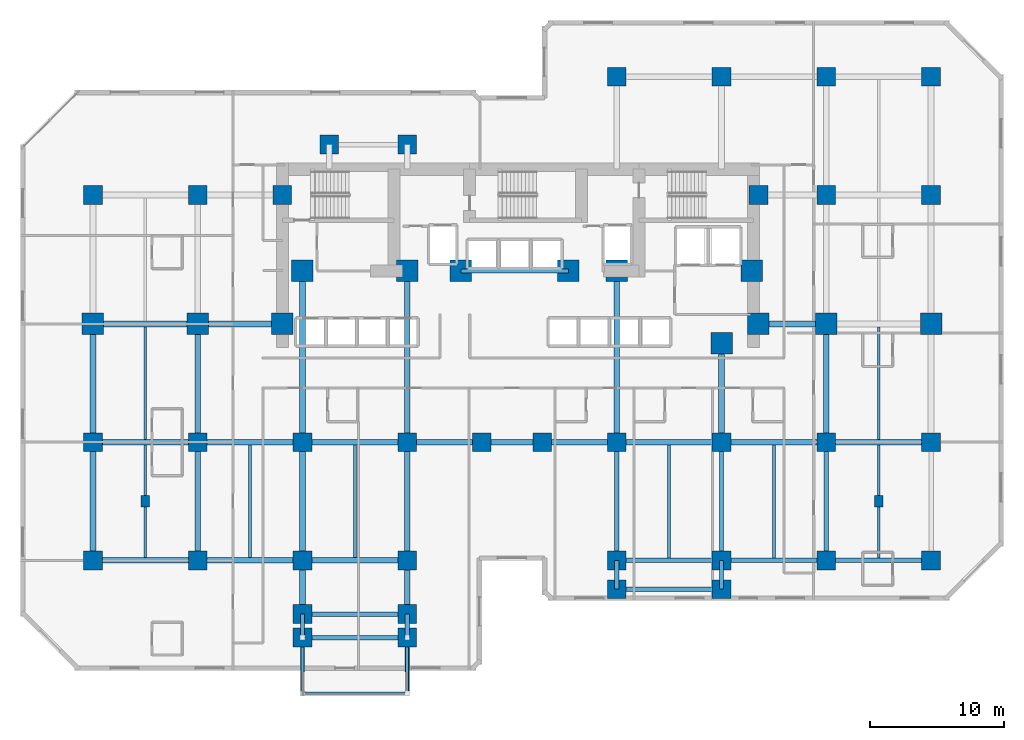
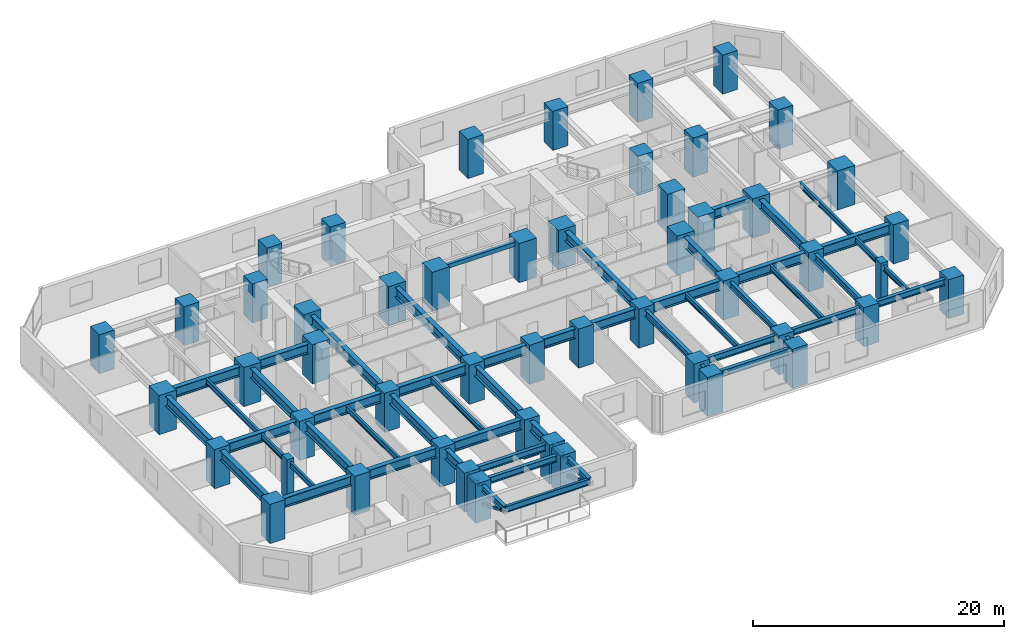
# One storey, part 1 of 12: 53 beams, 51 columns, 2 members.
"""IFC4 building model written with IfcOpenShell, lengths in metres."""

from ifc_helpers import new_model, si_unit, direction, frame, origin, origin_2d, place, context, subcontext, project, spatial, rectangle, hollow_rectangle, i_section, extrude, material, material_profile, profile_set, type_object, element, save


model = new_model("IFC4")

# Units and contexts
model_context = context("Model", 3, precision=1e-05, world=origin(), true_north=direction((0.0, 1.0)))
body_context = subcontext(model_context, "Body", "Model", "MODEL_VIEW")
ifc_project = project(units=[si_unit("LENGTHUNIT", "METRE"), si_unit("AREAUNIT", "SQUARE_METRE"), si_unit("VOLUMEUNIT", "CUBIC_METRE"), si_unit("PLANEANGLEUNIT", "RADIAN"), si_unit("MASSUNIT", "GRAM", prefix="KILO")], contexts=[model_context])

# Site, building, storey
site_placement = place(None, origin())
site = spatial("IfcSite", under=ifc_project, at=site_placement, CompositionType="ELEMENT")
building_placement = place(site_placement, origin())
building = spatial("IfcBuilding", under=site, at=building_placement, Name="Kestravale Grand Hotel", CompositionType="ELEMENT")
storey_placement = place(building_placement, frame((0.0, 0.0, 60.199951171875)))
storey = spatial("IfcBuildingStorey", under=building, at=storey_placement, Name="L14", CompositionType="ELEMENT", Elevation=60.199951171875)

# Columns
ifc_material_1 = material(Name="Concrete f'c 70 MPa", Category="concrete")
ifc_material_profile_1 = material_profile(ifc_material_1, rectangle(XDim=1.39990234375, YDim=1.39990234375, at=origin_2d()))
ifc_profile_set_1 = profile_set([ifc_material_profile_1], Name="Concrete f'c 70 MPa")
column_type_1 = type_object("IfcColumnType", Name="C-Z1-1400", PredefinedType="COLUMN", material=ifc_profile_set_1)
for number, where, z_axis, x_axis, name in (
    (1, (7.800048828125, 11.199951171875, 0.0), (0.0, 0.0, 1.0), (1.0, 0.0, 0.0), "L14 column 2-C"),
    (2, (7.800048828125, 20.0, 0.0), (0.0, 0.0, 1.0), (1.0, 0.0, 0.0), "L14 column 2-D"),
    (3, (7.800048828125, 38.39990234375, 0.0), (0.0, 0.0, 1.0), (1.0, 0.0, 0.0), "L14 column 2-F"),
    (4, (15.60009765625, 11.199951171875, 0.0), (0.0, 0.0, 1.0), (1.0, 0.0, 0.0), "L14 column 3-C"),
    (5, (15.60009765625, 20.0, 0.0), (0.0, 0.0, 1.0), (1.0, 0.0, 0.0), "L14 column 3-D"),
    (6, (15.60009765625, 38.39990234375, 0.0), (0.0, 0.0, 1.0), (1.0, 0.0, 0.0), "L14 column 3-F"),
    (7, (23.39990234375, 11.199951171875, 0.0), (0.0, 0.0, 1.0), (1.0, 0.0, 0.0), "L14 column 4-C"),
    (8, (23.39990234375, 20.0, 0.0), (0.0, 0.0, 1.0), (1.0, 0.0, 0.0), "L14 column 4-D"),
    (9, (31.199951171875, 11.199951171875, 0.0), (0.0, 0.0, 1.0), (1.0, 0.0, 0.0), "L14 column 5-C"),
    (10, (31.199951171875, 20.0, 0.0), (0.0, 0.0, 1.0), (1.0, 0.0, 0.0), "L14 column 5-D"),
    (11, (36.75, 20.0, 0.0), (0.0, 0.0, 1.0), (1.0, 0.0, 0.0), "L14 column 6-D"),
    (12, (41.25, 20.0, 0.0), (0.0, 0.0, 1.0), (1.0, 0.0, 0.0), "L14 column 7-D"),
    (13, (46.800048828125, 11.199951171875, 0.0), (0.0, 0.0, 1.0), (1.0, 0.0, 0.0), "L14 column 8-C"),
    (14, (46.800048828125, 20.0, 0.0), (0.0, 0.0, 1.0), (1.0, 0.0, 0.0), "L14 column 8-D"),
    (15, (46.800048828125, 47.199951171875, 0.0), (0.0, 0.0, 1.0), (1.0, 0.0, 0.0), "L14 column 8-G"),
    (16, (54.60009765625, 11.199951171875, 0.0), (0.0, 0.0, 1.0), (1.0, 0.0, 0.0), "L14 column 9-C"),
    (17, (54.60009765625, 20.0, 0.0), (0.0, 0.0, 1.0), (1.0, 0.0, 0.0), "L14 column 9-D"),
    (18, (54.60009765625, 47.199951171875, 0.0), (0.0, 0.0, 1.0), (1.0, 0.0, 0.0), "L14 column 9-G"),
    (19, (62.39990234375, 11.199951171875, 0.0), (0.0, 0.0, 1.0), (1.0, 0.0, 0.0), "L14 column 10-C"),
    (20, (62.39990234375, 20.0, 0.0), (0.0, 0.0, 1.0), (1.0, 0.0, 0.0), "L14 column 10-D"),
    (21, (62.39990234375, 38.39990234375, 0.0), (0.0, 0.0, 1.0), (1.0, 0.0, 0.0), "L14 column 10-F"),
    (22, (62.39990234375, 47.199951171875, 0.0), (0.0, 0.0, 1.0), (1.0, 0.0, 0.0), "L14 column 10-G"),
    (23, (70.199951171875, 11.199951171875, 0.0), (0.0, 0.0, 1.0), (1.0, 0.0, 0.0), "L14 column 11-C"),
    (24, (70.199951171875, 20.0, 0.0), (0.0, 0.0, 1.0), (1.0, 0.0, 0.0), "L14 column 11-D"),
    (25, (70.199951171875, 38.39990234375, 0.0), (0.0, 0.0, 1.0), (1.0, 0.0, 0.0), "L14 column 11-F"),
    (26, (70.199951171875, 47.199951171875, 0.0), (0.0, 0.0, 1.0), (1.0, 0.0, 0.0), "L14 column 11-G"),
    (27, (21.89990234375, 38.39990234375, 0.0), (0.0, 0.0, 1.0), (1.0, 0.0, 0.0), "L14 column CW-F"),
    (28, (57.35009765625, 38.39990234375, 0.0), (0.0, 0.0, 1.0), (1.0, 0.0, 0.0), "L14 column CE-F"),
    (29, (23.39990234375, 7.199951171875, 0.0), (0.0, 0.0, 1.0), (1.0, 0.0, 0.0), "L14 column 4-BS"),
    (30, (31.199951171875, 7.199951171875, 0.0), (0.0, 0.0, 1.0), (1.0, 0.0, 0.0), "L14 column 5-BS"),
    (31, (25.39990234375, 42.14990234375, 0.0), (0.0, 0.0, 1.0), (1.0, 0.0, 0.0), "L14 column 4-FN"),
    (32, (31.199951171875, 42.14990234375, 0.0), (0.0, 0.0, 1.0), (1.0, 0.0, 0.0), "L14 column 5-FN"),
    (33, (23.39990234375, 5.449951171875, 0.0), (0.0, 0.0, 1.0), (1.0, 0.0, 0.0), "L14 column 4-B1S"),
    (34, (31.199951171875, 5.449951171875, 0.0), (0.0, 0.0, 1.0), (1.0, 0.0, 0.0), "L14 column 5-B1S"),
    (35, (46.800048828125, 9.050048828125, 0.0), (0.0, 0.0, 1.0), (1.0, 0.0, 0.0), "L14 column 8-B1E"),
    (36, (54.60009765625, 9.050048828125, 0.0), (0.0, 0.0, 1.0), (1.0, 0.0, 0.0), "L14 column 9-B1E"),
):
    element("IfcColumn", number, at=place(storey_placement, frame(where, z_axis=z_axis, x_axis=x_axis)), inside=storey, type_object=column_type_1, Name=name, PredefinedType="COLUMN", context=body_context, shape_type="SweptSolid", body=[
        extrude(rectangle(XDim=1.39990234375, YDim=1.39990234375, at=origin_2d()), origin(), (0.0, 0.0, 1.0), 3.800048828125),
    ])
ifc_material_2 = material(Name="Concrete f'c 70 MPa", Category="concrete")
ifc_material_profile_2 = material_profile(ifc_material_2, rectangle(XDim=1.60009765625, YDim=1.60009765625, at=origin_2d()))
ifc_profile_set_2 = profile_set([ifc_material_profile_2], Name="Concrete f'c 70 MPa")
column_type_2 = type_object("IfcColumnType", Name="C-Z1-1600", PredefinedType="COLUMN", material=ifc_profile_set_2)
for number, where, z_axis, x_axis, name in (
    (37, (7.800048828125, 28.800048828125, 0.0), (0.0, 0.0, 1.0), (1.0, 0.0, 0.0), "L14 column 2-E"),
    (38, (15.60009765625, 28.800048828125, 0.0), (0.0, 0.0, 1.0), (1.0, 0.0, 0.0), "L14 column 3-E"),
    (39, (62.39990234375, 28.800048828125, 0.0), (0.0, 0.0, 1.0), (1.0, 0.0, 0.0), "L14 column 10-E"),
    (40, (70.199951171875, 28.800048828125, 0.0), (0.0, 0.0, 1.0), (1.0, 0.0, 0.0), "L14 column 11-E"),
    (41, (21.89990234375, 28.800048828125, 0.0), (0.0, 0.0, 1.0), (1.0, 0.0, 0.0), "L14 column CW-E"),
    (42, (57.35009765625, 28.800048828125, 0.0), (0.0, 0.0, 1.0), (1.0, 0.0, 0.0), "L14 column CE-E"),
    (43, (23.39990234375, 32.75, 0.0), (0.0, 0.0, 1.0), (1.0, 0.0, 0.0), "L14 column 4-CS"),
    (44, (31.199951171875, 32.75, 0.0), (0.0, 0.0, 1.0), (1.0, 0.0, 0.0), "L14 column 5-CS"),
    (45, (35.199951171875, 32.75, 0.0), (0.0, 0.0, 1.0), (1.0, 0.0, 0.0), "L14 column 6C-CS"),
    (46, (43.199951171875, 32.75, 0.0), (0.0, 0.0, 1.0), (1.0, 0.0, 0.0), "L14 column 7C-CS"),
    (47, (46.800048828125, 32.75, 0.0), (0.0, 0.0, 1.0), (1.0, 0.0, 0.0), "L14 column 8-CS"),
    (48, (54.60009765625, 27.35009765625, 0.0), (0.0, 0.0, 1.0), (1.0, 0.0, 0.0), "L14 column 9-CS"),
    (49, (56.85009765625, 32.75, 0.0), (0.0, 0.0, 1.0), (1.0, 0.0, 0.0), "L14 column 9C-CS"),
):
    element("IfcColumn", number, at=place(storey_placement, frame(where, z_axis=z_axis, x_axis=x_axis)), inside=storey, type_object=column_type_2, Name=name, PredefinedType="COLUMN", context=body_context, shape_type="SweptSolid", body=[
        extrude(rectangle(XDim=1.60009765625, YDim=1.60009765625, at=origin_2d()), origin(), (0.0, 0.0, 1.0), 3.800048828125),
    ])
ifc_material_3 = material(Name="Precast concrete f'c 45 MPa", Category="concrete")
ifc_material_profile_3 = material_profile(ifc_material_3, rectangle(XDim=0.64990234375, YDim=0.85009765625, at=origin_2d()))
ifc_profile_set_3 = profile_set([ifc_material_profile_3], Name="Precast concrete f'c 45 MPa")
column_type_3 = type_object("IfcColumnType", Name="C-Z1-PIL850", PredefinedType="PILASTER", material=ifc_profile_set_3)
for number, where, z_axis, x_axis, name in (
    (50, (11.699951171875, 15.60009765625, 0.0), (0.0, 0.0, 1.0), (1.0, 0.0, 0.0), "L14 Art Deco fluted pilaster P1"),
    (51, (66.300048828125, 15.60009765625, 0.0), (0.0, 0.0, 1.0), (1.0, 0.0, 0.0), "L14 Art Deco fluted pilaster P2"),
):
    element("IfcColumn", number, at=place(storey_placement, frame(where, z_axis=z_axis, x_axis=x_axis)), inside=storey, type_object=column_type_3, Name=name, PredefinedType="PILASTER", context=body_context, shape_type="SweptSolid", body=[
        extrude(rectangle(XDim=0.64990234375, YDim=0.85009765625, at=origin_2d()), origin(), (0.0, 0.0, 1.0), 3.800048828125),
    ])

# Beams
ifc_material_4 = material(Name="Steel ASTM A992 Grade 50", Category="steel")
ifc_material_profile_4 = material_profile(ifc_material_4, i_section(OverallWidth=0.2099609375, OverallDepth=0.535888671875, WebThickness=0.010986328125, FlangeThickness=0.017333984375, FilletRadius=0.017578125, at=origin_2d()))
ifc_profile_set_4 = profile_set([ifc_material_profile_4], Name="Steel ASTM A992 Grade 50")
beam_type_1 = type_object("IfcBeamType", Name="B-FLR-JST21", PredefinedType="JOIST", material=ifc_profile_set_4)
for number, where, z_axis, x_axis, name in (
    (52, (11.699951171875, 11.412109375, 3.27197265625), (0.0, 1.0, 0.0), (-1.0, 0.0, 0.0), "L14 floor joist 2-3/C-D #1"),
    (53, (11.699951171875, 20.2119140625, 3.27197265625), (0.0, 1.0, 0.0), (-1.0, 0.0, 0.0), "L14 floor joist 2-3/D-E #1"),
    (54, (19.5, 11.412109375, 3.27197265625), (0.0, 1.0, 0.0), (-1.0, 0.0, 0.0), "L14 floor joist 3-4/C-D #1"),
    (55, (27.300048828125, 11.412109375, 3.27197265625), (0.0, 1.0, 0.0), (-1.0, 0.0, 0.0), "L14 floor joist 4-5/C-D #1"),
):
    element("IfcBeam", number, at=place(storey_placement, frame(where, z_axis=z_axis, x_axis=x_axis)), inside=storey, type_object=beam_type_1, Name=name, PredefinedType="JOIST", context=body_context, shape_type="SweptSolid", body=[
        extrude(i_section(OverallWidth=0.2099609375, OverallDepth=0.535888671875, WebThickness=0.010986328125, FlangeThickness=0.017333984375, FilletRadius=0.017578125, at=origin_2d()), origin(), (0.0, 0.0, 1.0), 8.3759765625),
    ])
for number, where, z_axis, x_axis, name in (
    (56, (50.699951171875, 11.362548828125, 3.27197265625), (0.0, 1.0, 0.0), (-1.0, 0.0, 0.0), "L14 floor joist 8-9/C-D #1"),
    (57, (58.5, 11.362548828125, 3.27197265625), (0.0, 1.0, 0.0), (-1.0, 0.0, 0.0), "L14 floor joist 9-10/C-D #1"),
    (58, (66.300048828125, 11.362548828125, 3.27197265625), (0.0, 1.0, 0.0), (-1.0, 0.0, 0.0), "L14 floor joist 10-11/C-D #1"),
):
    element("IfcBeam", number, at=place(storey_placement, frame(where, z_axis=z_axis, x_axis=x_axis)), inside=storey, type_object=beam_type_1, Name=name, PredefinedType="JOIST", context=body_context, shape_type="SweptSolid", body=[
        extrude(i_section(OverallWidth=0.2099609375, OverallDepth=0.535888671875, WebThickness=0.010986328125, FlangeThickness=0.017333984375, FilletRadius=0.017578125, at=origin_2d()), origin(), (0.0, 0.0, 1.0), 8.425537109375),
    ])
beam_1_placement = place(storey_placement, frame((66.300048828125, 20.2119140625, 3.27197265625), z_axis=(0.0, 1.0, 0.0), x_axis=(-1.0, 0.0, 0.0)))
element("IfcBeam", 59, at=beam_1_placement, inside=storey, type_object=beam_type_1, Name="L14 floor joist 10-11/D-E #1", PredefinedType="JOIST", context=body_context, shape_type="SweptSolid", body=[
    extrude(i_section(OverallWidth=0.2099609375, OverallDepth=0.535888671875, WebThickness=0.010986328125, FlangeThickness=0.017333984375, FilletRadius=0.017578125, at=origin_2d()), origin(), (0.0, 0.0, 1.0), 8.3759765625),
])
ifc_material_5 = material(Name="Concrete f'c 45 MPa", Category="concrete")
ifc_material_profile_5 = material_profile(ifc_material_5, rectangle(XDim=0.300048828125, YDim=0.39990234375, at=origin_2d()))
ifc_profile_set_5 = profile_set([ifc_material_profile_5], Name="Concrete f'c 45 MPa")
beam_type_2 = type_object("IfcBeamType", Name="B-FLR-LNT400", PredefinedType="LINTEL", material=ifc_profile_set_5)
beam_2_placement = place(storey_placement, frame((35.199951171875, 32.75, 3.340087890625), z_axis=(1.0, 0.0, 0.0), x_axis=(0.0, 1.0, 0.0)))
element("IfcBeam", 60, at=beam_2_placement, inside=storey, type_object=beam_type_2, Name="L14 core portal header lintel", PredefinedType="LINTEL", context=body_context, shape_type="SweptSolid", body=[
    extrude(rectangle(XDim=0.300048828125, YDim=0.39990234375, at=origin_2d()), origin(), (0.0, 0.0, 1.0), 8.0),
])
ifc_material_6 = material(Name="Steel ASTM A992 Grade 50", Category="steel")
ifc_material_profile_6 = material_profile(ifc_material_6, i_section(OverallWidth=0.324951171875, OverallDepth=0.612060546875, WebThickness=0.0126953125, FlangeThickness=0.01904296875, FilletRadius=0.018798828125, at=origin_2d()))
ifc_profile_set_6 = profile_set([ifc_material_profile_6], Name="Steel ASTM A992 Grade 50")
beam_type_3 = type_object("IfcBeamType", Name="B-FLR-W24A", PredefinedType="SPANDREL", material=ifc_profile_set_6)
beam_3_placement = place(storey_placement, frame((46.800048828125, 11.199951171875, 3.234130859375), z_axis=(1.0, 0.0, 0.0), x_axis=(0.0, 1.0, 0.0)))
element("IfcBeam", 61, at=beam_3_placement, inside=storey, type_object=beam_type_3, Name="L14 spandrel C:8-9", PredefinedType="SPANDREL", context=body_context, shape_type="SweptSolid", body=[
    extrude(i_section(OverallWidth=0.324951171875, OverallDepth=0.612060546875, WebThickness=0.0126953125, FlangeThickness=0.01904296875, FilletRadius=0.018798828125, at=origin_2d()), origin(), (0.0, 0.0, 1.0), 7.800048828125),
])
beam_4_placement = place(storey_placement, frame((54.60009765625, 11.199951171875, 3.234130859375), z_axis=(1.0, 0.0, 0.0), x_axis=(0.0, 1.0, 0.0)))
element("IfcBeam", 62, at=beam_4_placement, inside=storey, type_object=beam_type_3, Name="L14 spandrel C:9-10", PredefinedType="SPANDREL", context=body_context, shape_type="SweptSolid", body=[
    extrude(i_section(OverallWidth=0.324951171875, OverallDepth=0.612060546875, WebThickness=0.0126953125, FlangeThickness=0.01904296875, FilletRadius=0.018798828125, at=origin_2d()), origin(), (0.0, 0.0, 1.0), 7.7998046875),
])
for number, where, z_axis, x_axis, name in (
    (63, (62.39990234375, 11.199951171875, 3.234130859375), (1.0, 0.0, 0.0), (0.0, 1.0, 0.0), "L14 spandrel C:10-11"),
    (64, (23.39990234375, 5.449951171875, 3.234130859375), (1.0, 0.0, 0.0), (0.0, 1.0, 0.0), "L14 perimeter tie spandrel B1S:4-5"),
    (65, (46.800048828125, 9.050048828125, 3.234130859375), (1.0, 0.0, 0.0), (0.0, 1.0, 0.0), "L14 perimeter tie spandrel B1E:8-9"),
    (66, (23.39990234375, 7.199951171875, 3.234130859375), (1.0, 0.0, 0.0), (0.0, 1.0, 0.0), "L14 perimeter tie spandrel BS:4-5"),
):
    element("IfcBeam", number, at=place(storey_placement, frame(where, z_axis=z_axis, x_axis=x_axis)), inside=storey, type_object=beam_type_3, Name=name, PredefinedType="SPANDREL", context=body_context, shape_type="SweptSolid", body=[
        extrude(i_section(OverallWidth=0.324951171875, OverallDepth=0.612060546875, WebThickness=0.0126953125, FlangeThickness=0.01904296875, FilletRadius=0.018798828125, at=origin_2d()), origin(), (0.0, 0.0, 1.0), 7.800048828125),
    ])
for number, where, z_axis, x_axis, name in (
    (67, (23.39990234375, 5.449951171875, 3.234130859375), (0.0, 1.0, 0.0), (-1.0, 0.0, 0.0), "L14 spandrel 4:B1S-BS"),
    (68, (31.199951171875, 5.449951171875, 3.234130859375), (0.0, 1.0, 0.0), (-1.0, 0.0, 0.0), "L14 spandrel 5:B1S-BS"),
):
    element("IfcBeam", number, at=place(storey_placement, frame(where, z_axis=z_axis, x_axis=x_axis)), inside=storey, type_object=beam_type_3, Name=name, PredefinedType="SPANDREL", context=body_context, shape_type="SweptSolid", body=[
        extrude(i_section(OverallWidth=0.324951171875, OverallDepth=0.612060546875, WebThickness=0.0126953125, FlangeThickness=0.01904296875, FilletRadius=0.018798828125, at=origin_2d()), origin(), (0.0, 0.0, 1.0), 1.75),
    ])
beam_5_placement = place(storey_placement, frame((46.800048828125, 9.050048828125, 3.234130859375), z_axis=(0.0, 1.0, 0.0), x_axis=(-1.0, 0.0, 0.0)))
element("IfcBeam", 69, at=beam_5_placement, inside=storey, type_object=beam_type_3, Name="L14 spandrel 8:B1E-C", PredefinedType="SPANDREL", context=body_context, shape_type="SweptSolid", body=[
    extrude(i_section(OverallWidth=0.324951171875, OverallDepth=0.612060546875, WebThickness=0.0126953125, FlangeThickness=0.01904296875, FilletRadius=0.018798828125, at=origin_2d()), origin(), (0.0, 0.0, 1.0), 2.14990234375),
])
beam_6_placement = place(storey_placement, frame((46.800048828125, 11.199951171875, 3.234130859375), z_axis=(0.0, 1.0, 0.0), x_axis=(-1.0, 0.0, 0.0)))
element("IfcBeam", 70, at=beam_6_placement, inside=storey, type_object=beam_type_3, Name="L14 spandrel 8:C-D", PredefinedType="SPANDREL", context=body_context, shape_type="SweptSolid", body=[
    extrude(i_section(OverallWidth=0.324951171875, OverallDepth=0.612060546875, WebThickness=0.0126953125, FlangeThickness=0.01904296875, FilletRadius=0.018798828125, at=origin_2d()), origin(), (0.0, 0.0, 1.0), 8.800048828125),
])
beam_7_placement = place(storey_placement, frame((54.60009765625, 9.050048828125, 3.234130859375), z_axis=(0.0, 1.0, 0.0), x_axis=(-1.0, 0.0, 0.0)))
element("IfcBeam", 71, at=beam_7_placement, inside=storey, type_object=beam_type_3, Name="L14 spandrel 9:B1E-C", PredefinedType="SPANDREL", context=body_context, shape_type="SweptSolid", body=[
    extrude(i_section(OverallWidth=0.324951171875, OverallDepth=0.612060546875, WebThickness=0.0126953125, FlangeThickness=0.01904296875, FilletRadius=0.018798828125, at=origin_2d()), origin(), (0.0, 0.0, 1.0), 2.14990234375),
])
for number, where, z_axis, x_axis, name in (
    (72, (54.60009765625, 11.199951171875, 3.234130859375), (0.0, 1.0, 0.0), (-1.0, 0.0, 0.0), "L14 spandrel 9:C-D"),
    (73, (62.39990234375, 11.199951171875, 3.234130859375), (0.0, 1.0, 0.0), (-1.0, 0.0, 0.0), "L14 spandrel 10:C-D"),
):
    element("IfcBeam", number, at=place(storey_placement, frame(where, z_axis=z_axis, x_axis=x_axis)), inside=storey, type_object=beam_type_3, Name=name, PredefinedType="SPANDREL", context=body_context, shape_type="SweptSolid", body=[
        extrude(i_section(OverallWidth=0.324951171875, OverallDepth=0.612060546875, WebThickness=0.0126953125, FlangeThickness=0.01904296875, FilletRadius=0.018798828125, at=origin_2d()), origin(), (0.0, 0.0, 1.0), 8.800048828125),
    ])
for number, where, z_axis, x_axis, name in (
    (74, (23.39990234375, 5.449951171875, 3.22412109375), (0.0, -1.0, 0.0), (1.0, 0.0, 0.0), "L15 terrace cantilever beam 1"),
    (75, (31.199951171875, 5.449951171875, 3.22412109375), (0.0, -1.0, 0.0), (1.0, 0.0, 0.0), "L15 terrace cantilever beam 2"),
):
    element("IfcBeam", number, at=place(storey_placement, frame(where, z_axis=z_axis, x_axis=x_axis)), inside=storey, type_object=beam_type_3, Name=name, PredefinedType="SPANDREL", context=body_context, shape_type="SweptSolid", body=[
        extrude(i_section(OverallWidth=0.324951171875, OverallDepth=0.612060546875, WebThickness=0.0126953125, FlangeThickness=0.01904296875, FilletRadius=0.018798828125, at=origin_2d()), origin(), (0.0, 0.0, 1.0), 4.14990234375),
    ])
ifc_material_7 = material(Name="Steel ASTM A992 Grade 50", Category="steel")
ifc_material_profile_7 = material_profile(ifc_material_7, i_section(OverallWidth=0.22900390625, OverallDepth=0.612060546875, WebThickness=0.011962890625, FlangeThickness=0.01953125, FilletRadius=0.019287109375, at=origin_2d()))
ifc_profile_set_7 = profile_set([ifc_material_profile_7], Name="Steel ASTM A992 Grade 50")
beam_type_4 = type_object("IfcBeamType", Name="B-FLR-W24B", PredefinedType="SPANDREL", material=ifc_profile_set_7)
beam_8_placement = place(storey_placement, frame((23.39990234375, 1.300048828125, 3.22412109375), z_axis=(1.0, 0.0, 0.0), x_axis=(0.0, 1.0, 0.0)))
element("IfcBeam", 76, at=beam_8_placement, inside=storey, type_object=beam_type_4, Name="L15 terrace edge spandrel", PredefinedType="SPANDREL", context=body_context, shape_type="SweptSolid", body=[
    extrude(i_section(OverallWidth=0.22900390625, OverallDepth=0.612060546875, WebThickness=0.011962890625, FlangeThickness=0.01953125, FilletRadius=0.019287109375, at=origin_2d()), origin(), (0.0, 0.0, 1.0), 7.800048828125),
])
ifc_material_8 = material(Name="Steel ASTM A992 Grade 50", Category="steel")
ifc_material_profile_8 = material_profile(ifc_material_8, i_section(OverallWidth=0.424072265625, OverallDepth=0.947021484375, WebThickness=0.02392578125, FlangeThickness=0.042724609375, FilletRadius=0.0283203125, at=origin_2d()))
ifc_profile_set_8 = profile_set([ifc_material_profile_8], Name="Steel ASTM A992 Grade 50")
beam_type_5 = type_object("IfcBeamType", Name="B-GRD-W36", PredefinedType="BEAM", material=ifc_profile_set_8)
beam_9_placement = place(storey_placement, frame((7.800048828125, 11.199951171875, 3.066650390625), z_axis=(1.0, 0.0, 0.0), x_axis=(0.0, 1.0, 0.0)))
element("IfcBeam", 77, at=beam_9_placement, inside=storey, type_object=beam_type_5, Name="L14 girder C:2-3", PredefinedType="BEAM", context=body_context, shape_type="SweptSolid", body=[
    extrude(i_section(OverallWidth=0.424072265625, OverallDepth=0.947021484375, WebThickness=0.02392578125, FlangeThickness=0.042724609375, FilletRadius=0.0283203125, at=origin_2d()), origin(), (0.0, 0.0, 1.0), 7.800048828125),
])
beam_10_placement = place(storey_placement, frame((15.60009765625, 11.199951171875, 3.066650390625), z_axis=(1.0, 0.0, 0.0), x_axis=(0.0, 1.0, 0.0)))
element("IfcBeam", 78, at=beam_10_placement, inside=storey, type_object=beam_type_5, Name="L14 girder C:3-4", PredefinedType="BEAM", context=body_context, shape_type="SweptSolid", body=[
    extrude(i_section(OverallWidth=0.424072265625, OverallDepth=0.947021484375, WebThickness=0.02392578125, FlangeThickness=0.042724609375, FilletRadius=0.0283203125, at=origin_2d()), origin(), (0.0, 0.0, 1.0), 7.7998046875),
])
for number, where, z_axis, x_axis, name in (
    (79, (23.39990234375, 11.199951171875, 3.066650390625), (1.0, 0.0, 0.0), (0.0, 1.0, 0.0), "L14 girder C:4-5"),
    (80, (7.800048828125, 20.0, 3.066650390625), (1.0, 0.0, 0.0), (0.0, 1.0, 0.0), "L14 girder D:2-3"),
):
    element("IfcBeam", number, at=place(storey_placement, frame(where, z_axis=z_axis, x_axis=x_axis)), inside=storey, type_object=beam_type_5, Name=name, PredefinedType="BEAM", context=body_context, shape_type="SweptSolid", body=[
        extrude(i_section(OverallWidth=0.424072265625, OverallDepth=0.947021484375, WebThickness=0.02392578125, FlangeThickness=0.042724609375, FilletRadius=0.0283203125, at=origin_2d()), origin(), (0.0, 0.0, 1.0), 7.800048828125),
    ])
beam_11_placement = place(storey_placement, frame((15.60009765625, 20.0, 3.066650390625), z_axis=(1.0, 0.0, 0.0), x_axis=(0.0, 1.0, 0.0)))
element("IfcBeam", 81, at=beam_11_placement, inside=storey, type_object=beam_type_5, Name="L14 girder D:3-4", PredefinedType="BEAM", context=body_context, shape_type="SweptSolid", body=[
    extrude(i_section(OverallWidth=0.424072265625, OverallDepth=0.947021484375, WebThickness=0.02392578125, FlangeThickness=0.042724609375, FilletRadius=0.0283203125, at=origin_2d()), origin(), (0.0, 0.0, 1.0), 7.7998046875),
])
beam_12_placement = place(storey_placement, frame((23.39990234375, 20.0, 3.066650390625), z_axis=(1.0, 0.0, 0.0), x_axis=(0.0, 1.0, 0.0)))
element("IfcBeam", 82, at=beam_12_placement, inside=storey, type_object=beam_type_5, Name="L14 girder D:4-5", PredefinedType="BEAM", context=body_context, shape_type="SweptSolid", body=[
    extrude(i_section(OverallWidth=0.424072265625, OverallDepth=0.947021484375, WebThickness=0.02392578125, FlangeThickness=0.042724609375, FilletRadius=0.0283203125, at=origin_2d()), origin(), (0.0, 0.0, 1.0), 7.800048828125),
])
beam_13_placement = place(storey_placement, frame((31.199951171875, 20.0, 3.066650390625), z_axis=(1.0, 0.0, 0.0), x_axis=(0.0, 1.0, 0.0)))
element("IfcBeam", 83, at=beam_13_placement, inside=storey, type_object=beam_type_5, Name="L14 girder D:5-6", PredefinedType="BEAM", context=body_context, shape_type="SweptSolid", body=[
    extrude(i_section(OverallWidth=0.424072265625, OverallDepth=0.947021484375, WebThickness=0.02392578125, FlangeThickness=0.042724609375, FilletRadius=0.0283203125, at=origin_2d()), origin(), (0.0, 0.0, 1.0), 5.550048828125),
])
beam_14_placement = place(storey_placement, frame((36.75, 20.0, 3.066650390625), z_axis=(1.0, 0.0, 0.0), x_axis=(0.0, 1.0, 0.0)))
element("IfcBeam", 84, at=beam_14_placement, inside=storey, type_object=beam_type_5, Name="L14 girder D:6-7", PredefinedType="BEAM", context=body_context, shape_type="SweptSolid", body=[
    extrude(i_section(OverallWidth=0.424072265625, OverallDepth=0.947021484375, WebThickness=0.02392578125, FlangeThickness=0.042724609375, FilletRadius=0.0283203125, at=origin_2d()), origin(), (0.0, 0.0, 1.0), 4.5),
])
beam_15_placement = place(storey_placement, frame((41.25, 20.0, 3.066650390625), z_axis=(1.0, 0.0, 0.0), x_axis=(0.0, 1.0, 0.0)))
element("IfcBeam", 85, at=beam_15_placement, inside=storey, type_object=beam_type_5, Name="L14 girder D:7-8", PredefinedType="BEAM", context=body_context, shape_type="SweptSolid", body=[
    extrude(i_section(OverallWidth=0.424072265625, OverallDepth=0.947021484375, WebThickness=0.02392578125, FlangeThickness=0.042724609375, FilletRadius=0.0283203125, at=origin_2d()), origin(), (0.0, 0.0, 1.0), 5.550048828125),
])
beam_16_placement = place(storey_placement, frame((46.800048828125, 20.0, 3.066650390625), z_axis=(1.0, 0.0, 0.0), x_axis=(0.0, 1.0, 0.0)))
element("IfcBeam", 86, at=beam_16_placement, inside=storey, type_object=beam_type_5, Name="L14 girder D:8-9", PredefinedType="BEAM", context=body_context, shape_type="SweptSolid", body=[
    extrude(i_section(OverallWidth=0.424072265625, OverallDepth=0.947021484375, WebThickness=0.02392578125, FlangeThickness=0.042724609375, FilletRadius=0.0283203125, at=origin_2d()), origin(), (0.0, 0.0, 1.0), 7.800048828125),
])
beam_17_placement = place(storey_placement, frame((54.60009765625, 20.0, 3.066650390625), z_axis=(1.0, 0.0, 0.0), x_axis=(0.0, 1.0, 0.0)))
element("IfcBeam", 87, at=beam_17_placement, inside=storey, type_object=beam_type_5, Name="L14 girder D:9-10", PredefinedType="BEAM", context=body_context, shape_type="SweptSolid", body=[
    extrude(i_section(OverallWidth=0.424072265625, OverallDepth=0.947021484375, WebThickness=0.02392578125, FlangeThickness=0.042724609375, FilletRadius=0.0283203125, at=origin_2d()), origin(), (0.0, 0.0, 1.0), 7.7998046875),
])
for number, where, z_axis, x_axis, name in (
    (88, (62.39990234375, 20.0, 3.066650390625), (1.0, 0.0, 0.0), (0.0, 1.0, 0.0), "L14 girder D:10-11"),
    (89, (7.800048828125, 28.800048828125, 3.066650390625), (1.0, 0.0, 0.0), (0.0, 1.0, 0.0), "L14 girder E:2-3"),
):
    element("IfcBeam", number, at=place(storey_placement, frame(where, z_axis=z_axis, x_axis=x_axis)), inside=storey, type_object=beam_type_5, Name=name, PredefinedType="BEAM", context=body_context, shape_type="SweptSolid", body=[
        extrude(i_section(OverallWidth=0.424072265625, OverallDepth=0.947021484375, WebThickness=0.02392578125, FlangeThickness=0.042724609375, FilletRadius=0.0283203125, at=origin_2d()), origin(), (0.0, 0.0, 1.0), 7.800048828125),
    ])
beam_18_placement = place(storey_placement, frame((15.60009765625, 28.800048828125, 3.066650390625), z_axis=(1.0, 0.0, 0.0), x_axis=(0.0, 1.0, 0.0)))
element("IfcBeam", 90, at=beam_18_placement, inside=storey, type_object=beam_type_5, Name="L14 girder E:3-CW", PredefinedType="BEAM", context=body_context, shape_type="SweptSolid", body=[
    extrude(i_section(OverallWidth=0.424072265625, OverallDepth=0.947021484375, WebThickness=0.02392578125, FlangeThickness=0.042724609375, FilletRadius=0.0283203125, at=origin_2d()), origin(), (0.0, 0.0, 1.0), 6.2998046875),
])
beam_19_placement = place(storey_placement, frame((57.35009765625, 28.800048828125, 3.066650390625), z_axis=(1.0, 0.0, 0.0), x_axis=(0.0, 1.0, 0.0)))
element("IfcBeam", 91, at=beam_19_placement, inside=storey, type_object=beam_type_5, Name="L14 girder E:CE-10", PredefinedType="BEAM", context=body_context, shape_type="SweptSolid", body=[
    extrude(i_section(OverallWidth=0.424072265625, OverallDepth=0.947021484375, WebThickness=0.02392578125, FlangeThickness=0.042724609375, FilletRadius=0.0283203125, at=origin_2d()), origin(), (0.0, 0.0, 1.0), 5.0498046875),
])
for number, where, z_axis, x_axis, name in (
    (92, (7.800048828125, 11.199951171875, 3.066650390625), (0.0, 1.0, 0.0), (-1.0, 0.0, 0.0), "L14 girder 2:C-D"),
    (93, (7.800048828125, 20.0, 3.066650390625), (0.0, 1.0, 0.0), (-1.0, 0.0, 0.0), "L14 girder 2:D-E"),
    (94, (15.60009765625, 11.199951171875, 3.066650390625), (0.0, 1.0, 0.0), (-1.0, 0.0, 0.0), "L14 girder 3:C-D"),
    (95, (15.60009765625, 20.0, 3.066650390625), (0.0, 1.0, 0.0), (-1.0, 0.0, 0.0), "L14 girder 3:D-E"),
):
    element("IfcBeam", number, at=place(storey_placement, frame(where, z_axis=z_axis, x_axis=x_axis)), inside=storey, type_object=beam_type_5, Name=name, PredefinedType="BEAM", context=body_context, shape_type="SweptSolid", body=[
        extrude(i_section(OverallWidth=0.424072265625, OverallDepth=0.947021484375, WebThickness=0.02392578125, FlangeThickness=0.042724609375, FilletRadius=0.0283203125, at=origin_2d()), origin(), (0.0, 0.0, 1.0), 8.800048828125),
    ])
beam_20_placement = place(storey_placement, frame((23.39990234375, 7.199951171875, 3.066650390625), z_axis=(0.0, 1.0, 0.0), x_axis=(-1.0, 0.0, 0.0)))
element("IfcBeam", 96, at=beam_20_placement, inside=storey, type_object=beam_type_5, Name="L14 girder 4:BS-C", PredefinedType="BEAM", context=body_context, shape_type="SweptSolid", body=[
    extrude(i_section(OverallWidth=0.424072265625, OverallDepth=0.947021484375, WebThickness=0.02392578125, FlangeThickness=0.042724609375, FilletRadius=0.0283203125, at=origin_2d()), origin(), (0.0, 0.0, 1.0), 4.0),
])
beam_21_placement = place(storey_placement, frame((23.39990234375, 11.199951171875, 3.066650390625), z_axis=(0.0, 1.0, 0.0), x_axis=(-1.0, 0.0, 0.0)))
element("IfcBeam", 97, at=beam_21_placement, inside=storey, type_object=beam_type_5, Name="L14 girder 4:C-D", PredefinedType="BEAM", context=body_context, shape_type="SweptSolid", body=[
    extrude(i_section(OverallWidth=0.424072265625, OverallDepth=0.947021484375, WebThickness=0.02392578125, FlangeThickness=0.042724609375, FilletRadius=0.0283203125, at=origin_2d()), origin(), (0.0, 0.0, 1.0), 8.800048828125),
])
beam_22_placement = place(storey_placement, frame((23.39990234375, 20.0, 3.066650390625), z_axis=(0.0, 1.0, 0.0), x_axis=(-1.0, 0.0, 0.0)))
element("IfcBeam", 98, at=beam_22_placement, inside=storey, type_object=beam_type_5, Name="L14 girder 4:D-CS", PredefinedType="BEAM", context=body_context, shape_type="SweptSolid", body=[
    extrude(i_section(OverallWidth=0.424072265625, OverallDepth=0.947021484375, WebThickness=0.02392578125, FlangeThickness=0.042724609375, FilletRadius=0.0283203125, at=origin_2d()), origin(), (0.0, 0.0, 1.0), 12.75),
])
beam_23_placement = place(storey_placement, frame((31.199951171875, 7.199951171875, 3.066650390625), z_axis=(0.0, 1.0, 0.0), x_axis=(-1.0, 0.0, 0.0)))
element("IfcBeam", 99, at=beam_23_placement, inside=storey, type_object=beam_type_5, Name="L14 girder 5:BS-C", PredefinedType="BEAM", context=body_context, shape_type="SweptSolid", body=[
    extrude(i_section(OverallWidth=0.424072265625, OverallDepth=0.947021484375, WebThickness=0.02392578125, FlangeThickness=0.042724609375, FilletRadius=0.0283203125, at=origin_2d()), origin(), (0.0, 0.0, 1.0), 4.0),
])
beam_24_placement = place(storey_placement, frame((31.199951171875, 11.199951171875, 3.066650390625), z_axis=(0.0, 1.0, 0.0), x_axis=(-1.0, 0.0, 0.0)))
element("IfcBeam", 100, at=beam_24_placement, inside=storey, type_object=beam_type_5, Name="L14 girder 5:C-D", PredefinedType="BEAM", context=body_context, shape_type="SweptSolid", body=[
    extrude(i_section(OverallWidth=0.424072265625, OverallDepth=0.947021484375, WebThickness=0.02392578125, FlangeThickness=0.042724609375, FilletRadius=0.0283203125, at=origin_2d()), origin(), (0.0, 0.0, 1.0), 8.800048828125),
])
for number, where, z_axis, x_axis, name in (
    (101, (31.199951171875, 20.0, 3.066650390625), (0.0, 1.0, 0.0), (-1.0, 0.0, 0.0), "L14 girder 5:D-CS"),
    (102, (46.800048828125, 20.0, 3.066650390625), (0.0, 1.0, 0.0), (-1.0, 0.0, 0.0), "L14 girder 8:D-CS"),
):
    element("IfcBeam", number, at=place(storey_placement, frame(where, z_axis=z_axis, x_axis=x_axis)), inside=storey, type_object=beam_type_5, Name=name, PredefinedType="BEAM", context=body_context, shape_type="SweptSolid", body=[
        extrude(i_section(OverallWidth=0.424072265625, OverallDepth=0.947021484375, WebThickness=0.02392578125, FlangeThickness=0.042724609375, FilletRadius=0.0283203125, at=origin_2d()), origin(), (0.0, 0.0, 1.0), 12.75),
    ])
beam_25_placement = place(storey_placement, frame((54.60009765625, 20.0, 3.066650390625), z_axis=(0.0, 1.0, 0.0), x_axis=(-1.0, 0.0, 0.0)))
element("IfcBeam", 103, at=beam_25_placement, inside=storey, type_object=beam_type_5, Name="L14 girder 9:D-CS", PredefinedType="BEAM", context=body_context, shape_type="SweptSolid", body=[
    extrude(i_section(OverallWidth=0.424072265625, OverallDepth=0.947021484375, WebThickness=0.02392578125, FlangeThickness=0.042724609375, FilletRadius=0.0283203125, at=origin_2d()), origin(), (0.0, 0.0, 1.0), 7.35009765625),
])
beam_26_placement = place(storey_placement, frame((62.39990234375, 20.0, 3.066650390625), z_axis=(0.0, 1.0, 0.0), x_axis=(-1.0, 0.0, 0.0)))
element("IfcBeam", 104, at=beam_26_placement, inside=storey, type_object=beam_type_5, Name="L14 girder 10:D-E", PredefinedType="BEAM", context=body_context, shape_type="SweptSolid", body=[
    extrude(i_section(OverallWidth=0.424072265625, OverallDepth=0.947021484375, WebThickness=0.02392578125, FlangeThickness=0.042724609375, FilletRadius=0.0283203125, at=origin_2d()), origin(), (0.0, 0.0, 1.0), 8.800048828125),
])

# Members
ifc_material_9 = material(Name="Steel ASTM A500 Grade C", Category="steel")
ifc_material_profile_9 = material_profile(ifc_material_9, hollow_rectangle(XDim=0.25, YDim=0.25, WallThickness=0.011962890625, InnerFilletRadius=0.011962890625, OuterFilletRadius=0.02392578125, at=origin_2d()))
ifc_profile_set_9 = profile_set([ifc_material_profile_9], Name="Steel ASTM A500 Grade C")
member_type = type_object("IfcMemberType", Name="M-BLT-STR250", PredefinedType="STRUT", material=ifc_profile_set_9)
for number, where, z_axis, x_axis, name in (
    (105, (23.39990234375, 5.449951171875, 1.3740234375), (0.0, -0.925369949496, 0.379065240519), (1.0, 0.0, 0.0), "L15 terrace knee-brace strut 1"),
    (106, (31.199951171875, 5.449951171875, 1.3740234375), (0.0, -0.925369949496, 0.379065240519), (1.0, 0.0, 0.0), "L15 terrace knee-brace strut 2"),
):
    element("IfcMember", number, at=place(storey_placement, frame(where, z_axis=z_axis, x_axis=x_axis)), inside=storey, type_object=member_type, Name=name, PredefinedType="STRUT", context=body_context, shape_type="SweptSolid", body=[
        extrude(hollow_rectangle(XDim=0.25, YDim=0.25, WallThickness=0.011962890625, InnerFilletRadius=0.011962890625, OuterFilletRadius=0.02392578125, at=origin_2d()), origin(), (0.0, 0.0, 1.0), 4.484619140625),
    ])

save(model, "model.ifc")
